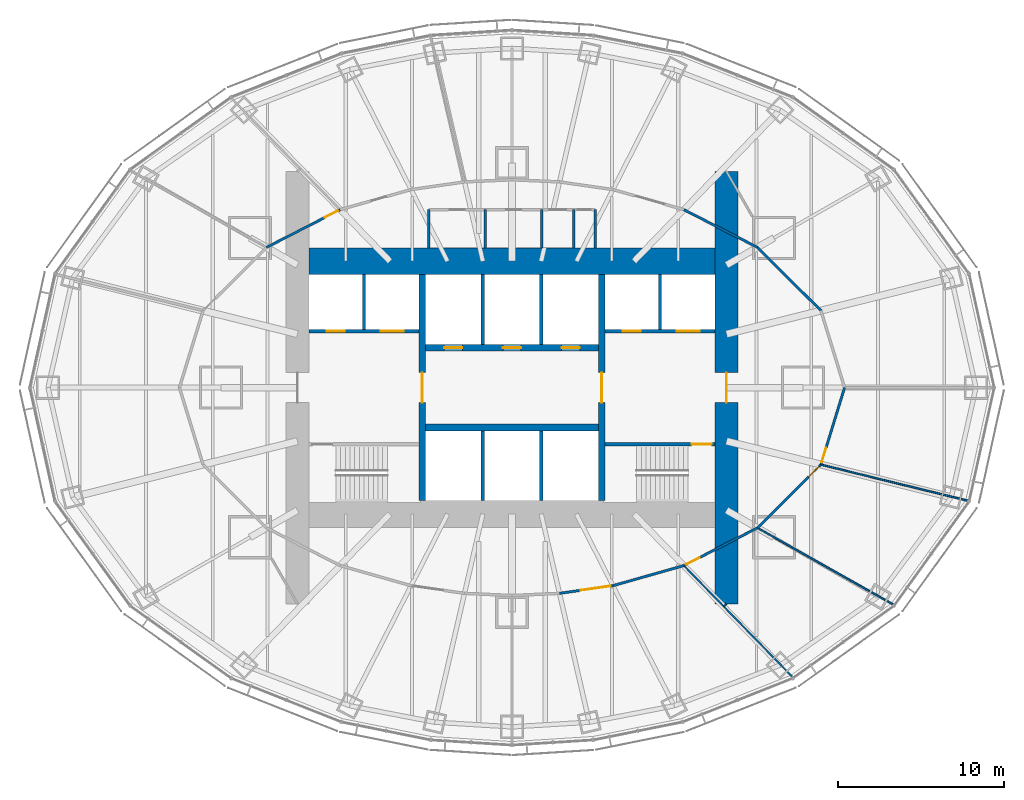
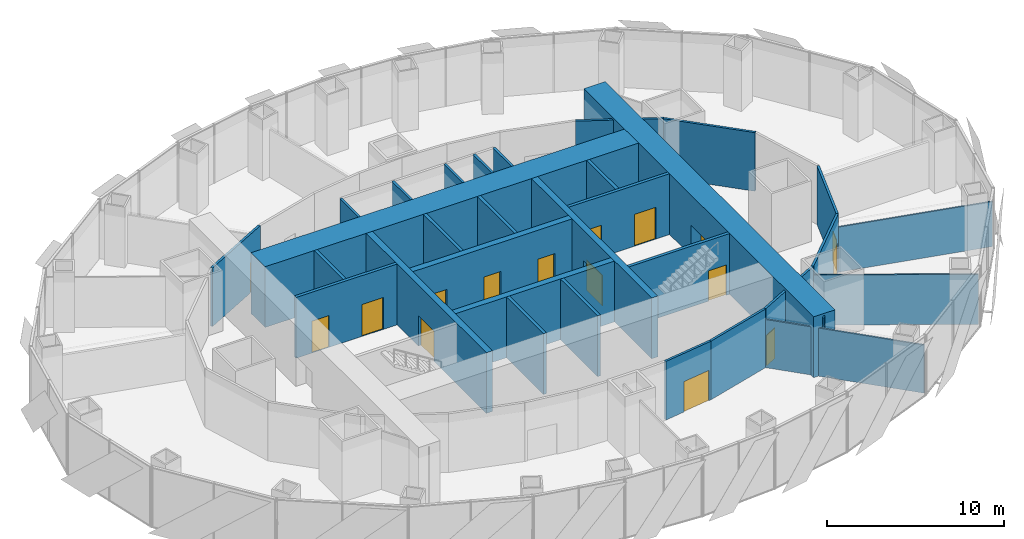
# One storey, part 11 of 18: 32 walls, 16 doors, 16 openings.
"""IFC4 building model written with IfcOpenShell, lengths in metres."""

from ifc_helpers import new_model, si_unit, direction, frame, frame_2d, origin, place, context, subcontext, project, spatial, rectangle, extrude, material, layer, layer_set, type_object, element, fill, save


model = new_model("IFC4")

# Units and contexts
model_context = context("Model", 3, precision=1e-05, world=origin(), true_north=direction((0.0, 1.0)))
body_context = subcontext(model_context, "Body", "Model", "MODEL_VIEW")
ifc_project = project(units=[si_unit("LENGTHUNIT", "METRE"), si_unit("AREAUNIT", "SQUARE_METRE"), si_unit("VOLUMEUNIT", "CUBIC_METRE"), si_unit("PLANEANGLEUNIT", "RADIAN"), si_unit("MASSUNIT", "GRAM", prefix="KILO")], contexts=[model_context])

# Site, building, storey
site_placement = place(None, origin())
site = spatial("IfcSite", under=ifc_project, at=site_placement, CompositionType="ELEMENT")
building_placement = place(site_placement, origin())
building = spatial("IfcBuilding", under=site, at=building_placement, Name="Lantaw Convention Tower", CompositionType="ELEMENT")
storey_placement = place(building_placement, frame((0.0, 0.0, 134.199951171875)))
storey = spatial("IfcBuildingStorey", under=building, at=storey_placement, Name="L31", CompositionType="ELEMENT", Elevation=134.199951171875)

# Wall, opening, door
ifc_material_1 = material(Name="Concrete C60/75", Category="concrete")
ifc_layer_1 = layer(ifc_material_1, 1.39990234375)
ifc_layer_set_1 = layer_set([ifc_layer_1], Name="Core wall 1400")
wall_type_1 = type_object("IfcWallType", Name="Core wall 1400", PredefinedType="SHEAR", material=ifc_layer_set_1)
wall_1_placement = place(storey_placement, frame((12.89990234375, -13.0, 0.0), z_axis=(0.0, 0.0, 1.0), x_axis=(0.0, 1.0, 0.0)))
wall_1 = element("IfcWall", 1, at=wall_1_placement, inside=storey, type_object=wall_type_1, Name="Core wall E", PredefinedType="SHEAR", context=body_context, shape_type="SweptSolid", body=[
    extrude(rectangle(XDim=26.0, YDim=1.39990234375, at=frame_2d((13.0, 0.0))), origin(), (0.0, 0.0, 1.0), 4.199951171875),
])
opening_1_placement = place(wall_1_placement, frame((12.10009765625, 0.0, 0.0)))
opening_1 = element("IfcOpeningElement", 2, at=opening_1_placement, cuts=wall_1, Name="Opening L31.05", PredefinedType="OPENING", context=body_context, shape_type="SweptSolid", body=[
    extrude(rectangle(XDim=1.800048828125, YDim=2.10009765625, at=frame_2d((0.89990234375, 1.050048828125))), frame((0.0, 0.7099609375, 0.0), z_axis=(0.0, -1.0, 0.0), x_axis=(1.0, 0.0, 0.0)), (0.0, 0.0, 1.0), 1.419921875),
])
ifc_material_2 = material(Name="Steel, fire rated", Category="steel")
door_type_1 = type_object("IfcDoorType", Name="Lobby double door FD90", OperationType="DOUBLE_DOOR_DOUBLE_SWING", PredefinedType="DOOR", material=ifc_material_2)
door_1_placement = place(opening_1_placement, origin())
door_1 = element("IfcDoor", 3, at=door_1_placement, inside=storey, type_object=door_type_1, Name="Firefighting lobby door", OperationType="DOUBLE_DOOR_DOUBLE_SWING", OverallHeight=2.10009765625, OverallWidth=1.800048828125, PredefinedType="DOOR", context=body_context, shape_type="SweptSolid", body=[
    extrude(rectangle(XDim=1.800048828125, YDim=2.10009765625, at=frame_2d((0.89990234375, 1.050048828125))), frame((0.0, 0.02490234375, 0.0), z_axis=(0.0, -1.0, 0.0), x_axis=(1.0, 0.0, 0.0)), (0.0, 0.0, 1.0), 0.050048828125),
])
fill(opening_1, door_1)

# Wall
ifc_layer_2 = layer(ifc_material_1, 1.60009765625)
ifc_layer_set_2 = layer_set([ifc_layer_2], Name="Core wall 1600")
wall_type_2 = type_object("IfcWallType", Name="Core wall 1600", PredefinedType="SHEAR", material=ifc_layer_set_2)
wall_2_placement = place(storey_placement, frame((12.199951171875, 7.60009765625, 0.0), z_axis=(0.0, 0.0, 1.0), x_axis=(-1.0, 0.0, 0.0)))
element("IfcWall", 4, at=wall_2_placement, inside=storey, type_object=wall_type_2, Name="Core wall N", PredefinedType="SHEAR", context=body_context, shape_type="SweptSolid", body=[
    extrude(rectangle(XDim=24.39990234375, YDim=1.60009765625, at=frame_2d((12.199951171875, 0.0))), origin(), (0.0, 0.0, 1.0), 4.199951171875),
])

# Wall, opening, door
ifc_layer_3 = layer(ifc_material_1, 0.199951171875)
ifc_layer_set_3 = layer_set([ifc_layer_3], Name="Core wall 200")
wall_type_3 = type_object("IfcWallType", Name="Core wall 200", PredefinedType="SHEAR", material=ifc_layer_set_3)
wall_3_placement = place(storey_placement, frame((5.60009765625, -3.39990234375, 0.0), z_axis=(0.0, 0.0, 1.0), x_axis=(1.0, 0.0, 0.0)))
wall_3 = element("IfcWall", 5, at=wall_3_placement, inside=storey, type_object=wall_type_3, Name="Core wall ES", PredefinedType="SHEAR", context=body_context, shape_type="SweptSolid", body=[
    extrude(rectangle(XDim=6.599853515625, YDim=0.199951171875, at=frame_2d((3.2998046875, 0.0))), origin(), (0.0, 0.0, 1.0), 4.199951171875),
])
opening_2_placement = place(wall_3_placement, frame((5.199951171875, 0.0, 0.0)))
opening_2 = element("IfcOpeningElement", 6, at=opening_2_placement, cuts=wall_3, Name="Opening L31.03", PredefinedType="OPENING", context=body_context, shape_type="SweptSolid", body=[
    extrude(rectangle(XDim=1.199951171875, YDim=2.10009765625, at=frame_2d((0.60009765625, 1.050048828125))), frame((0.0, 0.10986328125, 0.0), z_axis=(0.0, -1.0, 0.0), x_axis=(1.0, 0.0, 0.0)), (0.0, 0.0, 1.0), 0.219970703125),
])
door_type_2 = type_object("IfcDoorType", Name="Stair door FD90", OperationType="SINGLE_SWING_RIGHT", PredefinedType="DOOR", material=ifc_material_2)
door_2_placement = place(opening_2_placement, origin())
door_2 = element("IfcDoor", 7, at=door_2_placement, inside=storey, type_object=door_type_2, Name="Exit stair door", OperationType="SINGLE_SWING_RIGHT", OverallHeight=2.10009765625, OverallWidth=1.199951171875, PredefinedType="DOOR", context=body_context, shape_type="SweptSolid", body=[
    extrude(rectangle(XDim=1.199951171875, YDim=2.10009765625, at=frame_2d((0.60009765625, 1.050048828125))), frame((0.0, 0.02490234375, 0.0), z_axis=(0.0, -1.0, 0.0), x_axis=(1.0, 0.0, 0.0)), (0.0, 0.0, 1.0), 0.050048828125),
])
fill(opening_2, door_2)

ifc_layer_4 = layer(ifc_material_1, 0.39990234375)
ifc_layer_set_4 = layer_set([ifc_layer_4], Name="Core wall 400")
wall_type_4 = type_object("IfcWallType", Name="Core wall 400", PredefinedType="SHEAR", material=ifc_layer_set_4)
wall_4_placement = place(storey_placement, frame((5.39990234375, -6.800048828125, 0.0), z_axis=(0.0, 0.0, 1.0), x_axis=(0.0, 1.0, 0.0)))
wall_4 = element("IfcWall", 8, at=wall_4_placement, inside=storey, type_object=wall_type_4, Name="Core wall XE", PredefinedType="SHEAR", context=body_context, shape_type="SweptSolid", body=[
    extrude(rectangle(XDim=13.60009765625, YDim=0.39990234375, at=frame_2d((6.800048828125, 0.0))), origin(), (0.0, 0.0, 1.0), 4.199951171875),
])
opening_3_placement = place(wall_4_placement, frame((5.89990234375, 0.0, 0.0)))
opening_3 = element("IfcOpeningElement", 9, at=opening_3_placement, cuts=wall_4, Name="Opening L31.01", PredefinedType="OPENING", context=body_context, shape_type="SweptSolid", body=[
    extrude(rectangle(XDim=1.800048828125, YDim=2.10009765625, at=frame_2d((0.89990234375, 1.050048828125))), frame((0.0, 0.2099609375, 0.0), z_axis=(0.0, -1.0, 0.0), x_axis=(1.0, 0.0, 0.0)), (0.0, 0.0, 1.0), 0.419921875),
])
door_3_placement = place(opening_3_placement, origin())
door_3 = element("IfcDoor", 10, at=door_3_placement, inside=storey, type_object=door_type_1, Name="Lift lobby door", OperationType="DOUBLE_DOOR_DOUBLE_SWING", OverallHeight=2.10009765625, OverallWidth=1.800048828125, PredefinedType="DOOR", context=body_context, shape_type="SweptSolid", body=[
    extrude(rectangle(XDim=1.800048828125, YDim=2.10009765625, at=frame_2d((0.89990234375, 1.050048828125))), frame((0.0, 0.02490234375, 0.0), z_axis=(0.0, -1.0, 0.0), x_axis=(1.0, 0.0, 0.0)), (0.0, 0.0, 1.0), 0.050048828125),
])
fill(opening_3, door_3)

wall_5_placement = place(storey_placement, frame((-5.39990234375, 6.800048828125, 0.0), z_axis=(0.0, 0.0, 1.0), x_axis=(0.0, -1.0, 0.0)))
wall_5 = element("IfcWall", 11, at=wall_5_placement, inside=storey, type_object=wall_type_4, Name="Core wall XW", PredefinedType="SHEAR", context=body_context, shape_type="SweptSolid", body=[
    extrude(rectangle(XDim=13.60009765625, YDim=0.39990234375, at=frame_2d((6.800048828125, 0.0))), origin(), (0.0, 0.0, 1.0), 4.199951171875),
])
opening_4_placement = place(wall_5_placement, frame((5.89990234375, 0.0, 0.0)))
opening_4 = element("IfcOpeningElement", 12, at=opening_4_placement, cuts=wall_5, Name="Opening L31.02", PredefinedType="OPENING", context=body_context, shape_type="SweptSolid", body=[
    extrude(rectangle(XDim=1.800048828125, YDim=2.10009765625, at=frame_2d((0.89990234375, 1.050048828125))), frame((0.0, 0.2099609375, 0.0), z_axis=(0.0, -1.0, 0.0), x_axis=(1.0, 0.0, 0.0)), (0.0, 0.0, 1.0), 0.419921875),
])
door_4_placement = place(opening_4_placement, origin())
door_4 = element("IfcDoor", 13, at=door_4_placement, inside=storey, type_object=door_type_1, Name="Lift lobby door", OperationType="DOUBLE_DOOR_DOUBLE_SWING", OverallHeight=2.10009765625, OverallWidth=1.800048828125, PredefinedType="DOOR", context=body_context, shape_type="SweptSolid", body=[
    extrude(rectangle(XDim=1.800048828125, YDim=2.10009765625, at=frame_2d((0.89990234375, 1.050048828125))), frame((0.0, 0.02490234375, 0.0), z_axis=(0.0, -1.0, 0.0), x_axis=(1.0, 0.0, 0.0)), (0.0, 0.0, 1.0), 0.050048828125),
])
fill(opening_4, door_4)

# Wall
wall_6_placement = place(storey_placement, frame((-5.199951171875, -2.39990234375, 0.0), z_axis=(0.0, 0.0, 1.0), x_axis=(1.0, 0.0, 0.0)))
element("IfcWall", 14, at=wall_6_placement, inside=storey, type_object=wall_type_4, Name="Core wall BS", PredefinedType="SHEAR", context=body_context, shape_type="SweptSolid", body=[
    extrude(rectangle(XDim=10.39990234375, YDim=0.39990234375, at=frame_2d((5.199951171875, 0.0))), origin(), (0.0, 0.0, 1.0), 4.199951171875),
])

# Wall, openings, doors
wall_7_placement = place(storey_placement, frame((5.199951171875, 2.39990234375, 0.0), z_axis=(0.0, 0.0, 1.0), x_axis=(-1.0, 0.0, 0.0)))
wall_7 = element("IfcWall", 15, at=wall_7_placement, inside=storey, type_object=wall_type_4, Name="Core wall BN", PredefinedType="SHEAR", context=body_context, shape_type="SweptSolid", body=[
    extrude(rectangle(XDim=10.39990234375, YDim=0.39990234375, at=frame_2d((5.199951171875, 0.0))), origin(), (0.0, 0.0, 1.0), 4.199951171875),
])
opening_5_placement = place(wall_7_placement, frame((8.183349609375, 0.0, 0.0)))
opening_5 = element("IfcOpeningElement", 16, at=opening_5_placement, cuts=wall_7, Name="Opening L31.07", PredefinedType="OPENING", context=body_context, shape_type="SweptSolid", body=[
    extrude(rectangle(XDim=1.10009765625, YDim=2.199951171875, at=frame_2d((0.550048828125, 1.10009765625))), frame((0.0, 0.2099609375, 0.0), z_axis=(0.0, -1.0, 0.0), x_axis=(1.0, 0.0, 0.0)), (0.0, 0.0, 1.0), 0.419921875),
])
opening_6_placement = place(wall_7_placement, frame((4.64990234375, 0.0, 0.0)))
opening_6 = element("IfcOpeningElement", 17, at=opening_6_placement, cuts=wall_7, Name="Opening L31.08", PredefinedType="OPENING", context=body_context, shape_type="SweptSolid", body=[
    extrude(rectangle(XDim=1.10009765625, YDim=2.199951171875, at=frame_2d((0.550048828125, 1.10009765625))), frame((0.0, 0.2099609375, 0.0), z_axis=(0.0, -1.0, 0.0), x_axis=(1.0, 0.0, 0.0)), (0.0, 0.0, 1.0), 0.419921875),
])
opening_7_placement = place(wall_7_placement, frame((1.11669921875, 0.0, 0.0)))
opening_7 = element("IfcOpeningElement", 18, at=opening_7_placement, cuts=wall_7, Name="Opening L31.09", PredefinedType="OPENING", context=body_context, shape_type="SweptSolid", body=[
    extrude(rectangle(XDim=1.10009765625, YDim=2.199951171875, at=frame_2d((0.550048828125, 1.10009765625))), frame((0.0, 0.2099609375, 0.0), z_axis=(0.0, -1.0, 0.0), x_axis=(1.0, 0.0, 0.0)), (0.0, 0.0, 1.0), 0.419921875),
])
ifc_material_3 = material(Name="Stainless steel", Category="steel")
door_type_3 = type_object("IfcDoorType", Name="Lift landing door 1100", OperationType="DOUBLE_DOOR_SLIDING", PredefinedType="DOOR", material=ifc_material_3)
door_5_placement = place(opening_5_placement, origin())
door_5 = element("IfcDoor", 19, at=door_5_placement, inside=storey, type_object=door_type_3, Name="Lift landing door N1", OperationType="DOUBLE_DOOR_SLIDING", OverallHeight=2.199951171875, OverallWidth=1.10009765625, PredefinedType="DOOR", context=body_context, shape_type="SweptSolid", body=[
    extrude(rectangle(XDim=1.10009765625, YDim=2.199951171875, at=frame_2d((0.550048828125, 1.10009765625))), frame((0.0, 0.02490234375, 0.0), z_axis=(0.0, -1.0, 0.0), x_axis=(1.0, 0.0, 0.0)), (0.0, 0.0, 1.0), 0.050048828125),
])
fill(opening_5, door_5)
door_6_placement = place(opening_6_placement, origin())
door_6 = element("IfcDoor", 20, at=door_6_placement, inside=storey, type_object=door_type_3, Name="Lift landing door N2", OperationType="DOUBLE_DOOR_SLIDING", OverallHeight=2.199951171875, OverallWidth=1.10009765625, PredefinedType="DOOR", context=body_context, shape_type="SweptSolid", body=[
    extrude(rectangle(XDim=1.10009765625, YDim=2.199951171875, at=frame_2d((0.550048828125, 1.10009765625))), frame((0.0, 0.02490234375, 0.0), z_axis=(0.0, -1.0, 0.0), x_axis=(1.0, 0.0, 0.0)), (0.0, 0.0, 1.0), 0.050048828125),
])
fill(opening_6, door_6)
door_7_placement = place(opening_7_placement, origin())
door_7 = element("IfcDoor", 21, at=door_7_placement, inside=storey, type_object=door_type_3, Name="Lift landing door N3", OperationType="DOUBLE_DOOR_SLIDING", OverallHeight=2.199951171875, OverallWidth=1.10009765625, PredefinedType="DOOR", context=body_context, shape_type="SweptSolid", body=[
    extrude(rectangle(XDim=1.10009765625, YDim=2.199951171875, at=frame_2d((0.550048828125, 1.10009765625))), frame((0.0, 0.02490234375, 0.0), z_axis=(0.0, -1.0, 0.0), x_axis=(1.0, 0.0, 0.0)), (0.0, 0.0, 1.0), 0.050048828125),
])
fill(opening_7, door_7)

# Walls
ifc_material_4 = material(Name="Gypsum board on steel studs, fire rated", Category="steel")
ifc_layer_5 = layer(ifc_material_4, 0.14990234375)
ifc_layer_set_5 = layer_set([ifc_layer_5], Name="Corridor wall 150 EI 60")
wall_type_5 = type_object("IfcWallType", Name="Corridor wall 150 EI 60", PredefinedType="PARTITIONING", material=ifc_layer_set_5)
wall_8_placement = place(storey_placement, frame((18.576416015625, 4.631591796875, 0.0), z_axis=(0.0, 0.0, 1.0), x_axis=(-0.708306665233, 0.705904857603, 0.0)))
element("IfcWall", 22, at=wall_8_placement, inside=storey, type_object=wall_type_5, Name="Corridor wall 150", PredefinedType="PARTITIONING", context=body_context, shape_type="SweptSolid", body=[
    extrude(rectangle(XDim=5.387451171875, YDim=0.14990234375, at=frame_2d((2.69384765625, 0.0))), origin(), (0.0, 0.0, 1.0), 4.050048828125),
])
wall_9_placement = place(storey_placement, frame((14.760498046875, 8.4345703125, 0.0), z_axis=(0.0, 0.0, 1.0), x_axis=(-0.890004978294, 0.455950807227, 0.0)))
element("IfcWall", 23, at=wall_9_placement, inside=storey, type_object=wall_type_5, Name="Corridor wall 150", PredefinedType="PARTITIONING", context=body_context, shape_type="SweptSolid", body=[
    extrude(rectangle(XDim=4.97265625, YDim=0.14990234375, at=frame_2d((2.486328125, 0.0))), origin(), (0.0, 0.0, 1.0), 4.050048828125),
])

# Wall, opening, door
wall_10_placement = place(storey_placement, frame((-10.334716796875, 10.701904296875, 0.0), z_axis=(0.0, 0.0, 1.0), x_axis=(-0.890004978294, -0.455950807227, 0.0)))
wall_10 = element("IfcWall", 24, at=wall_10_placement, inside=storey, type_object=wall_type_5, Name="Corridor wall 150", PredefinedType="PARTITIONING", context=body_context, shape_type="SweptSolid", body=[
    extrude(rectangle(XDim=4.97265625, YDim=0.14990234375, at=frame_2d((2.486328125, 0.0))), origin(), (0.0, 0.0, 1.0), 4.050048828125),
])
opening_8_placement = place(wall_10_placement, frame((0.14990234375, 0.0, 0.0)))
opening_8 = element("IfcOpeningElement", 25, at=opening_8_placement, cuts=wall_10, Name="Opening L31.20", PredefinedType="OPENING", context=body_context, shape_type="SweptSolid", body=[
    extrude(rectangle(XDim=0.89990234375, YDim=2.10009765625, at=frame_2d((0.449951171875, 1.050048828125))), frame((0.0, 0.0849609375, 0.0), z_axis=(0.0, -1.0, 0.0), x_axis=(1.0, 0.0, 0.0)), (0.0, 0.0, 1.0), 0.169921875),
])
door_type_4 = type_object("IfcDoorType", Name="Office door 900 FD30", OperationType="SINGLE_SWING_LEFT", PredefinedType="DOOR", material=ifc_material_2)
door_8_placement = place(opening_8_placement, origin())
door_8 = element("IfcDoor", 26, at=door_8_placement, inside=storey, type_object=door_type_4, Name="Quiet room door", OperationType="SINGLE_SWING_LEFT", OverallHeight=2.10009765625, OverallWidth=0.89990234375, PredefinedType="DOOR", context=body_context, shape_type="SweptSolid", body=[
    extrude(rectangle(XDim=0.89990234375, YDim=2.10009765625, at=frame_2d((0.449951171875, 1.050048828125))), frame((0.0, 0.02490234375, 0.0), z_axis=(0.0, -1.0, 0.0), x_axis=(1.0, 0.0, 0.0)), (0.0, 0.0, 1.0), 0.050048828125),
])
fill(opening_8, door_8)

wall_11_placement = place(storey_placement, frame((2.856201171875, -12.371826171875, 0.0), z_axis=(0.0, 0.0, 1.0), x_axis=(0.989852979412, 0.14209531713, 0.0)))
wall_11 = element("IfcWall", 27, at=wall_11_placement, inside=storey, type_object=wall_type_5, Name="Corridor wall 150", PredefinedType="PARTITIONING", context=body_context, shape_type="SweptSolid", body=[
    extrude(rectangle(XDim=3.24560546875, YDim=0.14990234375, at=frame_2d((1.622802734375, 0.0))), origin(), (0.0, 0.0, 1.0), 4.050048828125),
])
opening_9_placement = place(wall_11_placement, frame((1.29541015625, 0.0, 0.0)))
opening_9 = element("IfcOpeningElement", 28, at=opening_9_placement, cuts=wall_11, Name="Opening L31.23", PredefinedType="OPENING", context=body_context, shape_type="SweptSolid", body=[
    extrude(rectangle(XDim=1.800048828125, YDim=2.10009765625, at=frame_2d((0.89990234375, 1.050048828125))), frame((0.0, 0.0849609375, 0.0), z_axis=(0.0, -1.0, 0.0), x_axis=(1.0, 0.0, 0.0)), (0.0, 0.0, 1.0), 0.169921875),
])
door_type_5 = type_object("IfcDoorType", Name="Office double door 1800 FD30", OperationType="DOUBLE_DOOR_DOUBLE_SWING", PredefinedType="DOOR", material=ifc_material_2)
door_9_placement = place(opening_9_placement, origin())
door_9 = element("IfcDoor", 29, at=door_9_placement, inside=storey, type_object=door_type_5, Name="Training room door", OperationType="DOUBLE_DOOR_DOUBLE_SWING", OverallHeight=2.10009765625, OverallWidth=1.800048828125, PredefinedType="DOOR", context=body_context, shape_type="SweptSolid", body=[
    extrude(rectangle(XDim=1.800048828125, YDim=2.10009765625, at=frame_2d((0.89990234375, 1.050048828125))), frame((0.0, 0.02490234375, 0.0), z_axis=(0.0, -1.0, 0.0), x_axis=(1.0, 0.0, 0.0)), (0.0, 0.0, 1.0), 0.050048828125),
])
fill(opening_9, door_9)

# Wall
wall_12_placement = place(storey_placement, frame((6.06884765625, -11.91064453125, 0.0), z_axis=(0.0, 0.0, 1.0), x_axis=(0.962122152905, 0.272618713388, 0.0)))
element("IfcWall", 30, at=wall_12_placement, inside=storey, type_object=wall_type_5, Name="Corridor wall 150", PredefinedType="PARTITIONING", context=body_context, shape_type="SweptSolid", body=[
    extrude(rectangle(XDim=4.433837890625, YDim=0.14990234375, at=frame_2d((2.216796875, 0.0))), origin(), (0.0, 0.0, 1.0), 4.050048828125),
])

# Wall, opening, door
wall_13_placement = place(storey_placement, frame((10.334716796875, -10.701904296875, 0.0), z_axis=(0.0, 0.0, 1.0), x_axis=(0.890004978294, 0.455950807227, 0.0)))
wall_13 = element("IfcWall", 31, at=wall_13_placement, inside=storey, type_object=wall_type_5, Name="Corridor wall 150", PredefinedType="PARTITIONING", context=body_context, shape_type="SweptSolid", body=[
    extrude(rectangle(XDim=4.97265625, YDim=0.14990234375, at=frame_2d((2.486328125, 0.0))), origin(), (0.0, 0.0, 1.0), 4.050048828125),
])
opening_10_placement = place(wall_13_placement, frame((0.14990234375, 0.0, 0.0)))
opening_10 = element("IfcOpeningElement", 32, at=opening_10_placement, cuts=wall_13, Name="Opening L31.24", PredefinedType="OPENING", context=body_context, shape_type="SweptSolid", body=[
    extrude(rectangle(XDim=0.89990234375, YDim=2.10009765625, at=frame_2d((0.449951171875, 1.050048828125))), frame((0.0, 0.0849609375, 0.0), z_axis=(0.0, -1.0, 0.0), x_axis=(1.0, 0.0, 0.0)), (0.0, 0.0, 1.0), 0.169921875),
])
door_10_placement = place(opening_10_placement, origin())
door_10 = element("IfcDoor", 33, at=door_10_placement, inside=storey, type_object=door_type_4, Name="Nap room door", OperationType="SINGLE_SWING_LEFT", OverallHeight=2.10009765625, OverallWidth=0.89990234375, PredefinedType="DOOR", context=body_context, shape_type="SweptSolid", body=[
    extrude(rectangle(XDim=0.89990234375, YDim=2.10009765625, at=frame_2d((0.449951171875, 1.050048828125))), frame((0.0, 0.02490234375, 0.0), z_axis=(0.0, -1.0, 0.0), x_axis=(1.0, 0.0, 0.0)), (0.0, 0.0, 1.0), 0.050048828125),
])
fill(opening_10, door_10)

wall_14_placement = place(storey_placement, frame((14.760498046875, -8.4345703125, 0.0), z_axis=(0.0, 0.0, 1.0), x_axis=(0.708306665233, 0.705904857603, 0.0)))
wall_14 = element("IfcWall", 34, at=wall_14_placement, inside=storey, type_object=wall_type_5, Name="Corridor wall 150", PredefinedType="PARTITIONING", context=body_context, shape_type="SweptSolid", body=[
    extrude(rectangle(XDim=5.387451171875, YDim=0.14990234375, at=frame_2d((2.69384765625, 0.0))), origin(), (0.0, 0.0, 1.0), 4.050048828125),
])
opening_11_placement = place(wall_14_placement, frame((4.33740234375, 0.0, 0.0)))
opening_11 = element("IfcOpeningElement", 35, at=opening_11_placement, cuts=wall_14, Name="Opening L31.25", PredefinedType="OPENING", context=body_context, shape_type="SweptSolid", body=[
    extrude(rectangle(XDim=0.89990234375, YDim=2.10009765625, at=frame_2d((0.449951171875, 1.050048828125))), frame((0.0, 0.0849609375, 0.0), z_axis=(0.0, -1.0, 0.0), x_axis=(1.0, 0.0, 0.0)), (0.0, 0.0, 1.0), 0.169921875),
])
door_11_placement = place(opening_11_placement, origin())
door_11 = element("IfcDoor", 36, at=door_11_placement, inside=storey, type_object=door_type_4, Name="24-hour pantry door", OperationType="SINGLE_SWING_LEFT", OverallHeight=2.10009765625, OverallWidth=0.89990234375, PredefinedType="DOOR", context=body_context, shape_type="SweptSolid", body=[
    extrude(rectangle(XDim=0.89990234375, YDim=2.10009765625, at=frame_2d((0.449951171875, 1.050048828125))), frame((0.0, 0.02490234375, 0.0), z_axis=(0.0, -1.0, 0.0), x_axis=(1.0, 0.0, 0.0)), (0.0, 0.0, 1.0), 0.050048828125),
])
fill(opening_11, door_11)

wall_15_placement = place(storey_placement, frame((18.576416015625, -4.631591796875, 0.0), z_axis=(0.0, 0.0, 1.0), x_axis=(0.293799045613, 0.955867208767, 0.0)))
wall_15 = element("IfcWall", 37, at=wall_15_placement, inside=storey, type_object=wall_type_5, Name="Corridor wall 150", PredefinedType="PARTITIONING", context=body_context, shape_type="SweptSolid", body=[
    extrude(rectangle(XDim=4.845458984375, YDim=0.14990234375, at=frame_2d((2.4228515625, 0.0))), origin(), (0.0, 0.0, 1.0), 4.050048828125),
])
opening_12_placement = place(wall_15_placement, frame((0.14990234375, 0.0, 0.0)))
opening_12 = element("IfcOpeningElement", 38, at=opening_12_placement, cuts=wall_15, Name="Opening L31.26", PredefinedType="OPENING", context=body_context, shape_type="SweptSolid", body=[
    extrude(rectangle(XDim=0.89990234375, YDim=2.10009765625, at=frame_2d((0.449951171875, 1.050048828125))), frame((0.0, 0.0849609375, 0.0), z_axis=(0.0, -1.0, 0.0), x_axis=(1.0, 0.0, 0.0)), (0.0, 0.0, 1.0), 0.169921875),
])
door_12_placement = place(opening_12_placement, origin())
door_12 = element("IfcDoor", 39, at=door_12_placement, inside=storey, type_object=door_type_4, Name="Quiet room door", OperationType="SINGLE_SWING_LEFT", OverallHeight=2.10009765625, OverallWidth=0.89990234375, PredefinedType="DOOR", context=body_context, shape_type="SweptSolid", body=[
    extrude(rectangle(XDim=0.89990234375, YDim=2.10009765625, at=frame_2d((0.449951171875, 1.050048828125))), frame((0.0, 0.02490234375, 0.0), z_axis=(0.0, -1.0, 0.0), x_axis=(1.0, 0.0, 0.0)), (0.0, 0.0, 1.0), 0.050048828125),
])
fill(opening_12, door_12)

# Walls
ifc_material_5 = material(Name="Gypsum board on steel studs, acoustic", Category="steel")
ifc_layer_6 = layer(ifc_material_5, 0.10009765625)
ifc_layer_set_6 = layer_set([ifc_layer_6], Name="Office partition 100")
wall_type_6 = type_object("IfcWallType", Name="Office partition 100", PredefinedType="PARTITIONING", material=ifc_layer_set_6)
wall_16_placement = place(storey_placement, frame((16.88232421875, -17.413818359375, 0.0), z_axis=(0.0, 0.0, 1.0), x_axis=(-0.698290989425, 0.715814008027, 0.0)))
element("IfcWall", 40, at=wall_16_placement, inside=storey, type_object=wall_type_6, Name="Office partition 100", PredefinedType="PARTITIONING", context=body_context, shape_type="SweptSolid", body=[
    extrude(rectangle(XDim=9.376708984375, YDim=0.10009765625, at=frame_2d((4.6884765625, 0.0))), origin(), (0.0, 0.0, 1.0), 3.321044921875),
])
wall_17_placement = place(storey_placement, frame((22.948974609375, -13.05908203125, 0.0), z_axis=(0.0, 0.0, 1.0), x_axis=(-0.870733950517, 0.491754397456, 0.0)))
element("IfcWall", 41, at=wall_17_placement, inside=storey, type_object=wall_type_6, Name="Office partition 100", PredefinedType="PARTITIONING", context=body_context, shape_type="SweptSolid", body=[
    extrude(rectangle(XDim=9.404052734375, YDim=0.10009765625, at=frame_2d((4.7021484375, 0.0))), origin(), (0.0, 0.0, 1.0), 3.45068359375),
])
wall_18_placement = place(storey_placement, frame((27.440673828125, -6.80908203125, 0.0), z_axis=(0.0, 0.0, 1.0), x_axis=(-0.971128704348, 0.238556156056, 0.0)))
element("IfcWall", 42, at=wall_18_placement, inside=storey, type_object=wall_type_6, Name="Office partition 100", PredefinedType="PARTITIONING", context=body_context, shape_type="SweptSolid", body=[
    extrude(rectangle(XDim=9.127685546875, YDim=0.10009765625, at=frame_2d((4.56396484375, 0.0))), origin(), (0.0, 0.0, 1.0), 3.11279296875),
])
wall_19_placement = place(storey_placement, frame((12.89990234375, -13.0, 0.0), z_axis=(0.0, 0.0, 1.0), x_axis=(-0.716013316663, -0.698086620959, 0.0)))
element("IfcWall", 43, at=wall_19_placement, inside=storey, type_object=wall_type_6, Name="Office partition 100", PredefinedType="PARTITIONING", context=body_context, shape_type="SweptSolid", body=[
    extrude(rectangle(XDim=0.2314453125, YDim=0.10009765625, at=frame_2d((0.11572265625, 0.0))), origin(), (0.0, 0.0, 1.0), 4.050048828125),
])
ifc_material_6 = material(Name="Concrete blockwork, fire rated", Category="masonry")
ifc_layer_7 = layer(ifc_material_6, 0.199951171875)
ifc_layer_set_7 = layer_set([ifc_layer_7], Name="Shaft wall 200")
wall_type_7 = type_object("IfcWallType", Name="Shaft wall 200", PredefinedType="SOLIDWALL", material=ifc_layer_set_7)
for number, where, z_axis, x_axis, name in (
    (44, (-1.7666015625, 2.60009765625, 0.0), (0.0, 0.0, 1.0), (0.0, 1.0, 0.0), "Shaft wall DN1"),
    (45, (1.7666015625, 2.60009765625, 0.0), (0.0, 0.0, 1.0), (0.0, 1.0, 0.0), "Shaft wall DN2"),
):
    element("IfcWall", number, at=place(storey_placement, frame(where, z_axis=z_axis, x_axis=x_axis)), inside=storey, type_object=wall_type_7, Name=name, PredefinedType="SOLIDWALL", context=body_context, shape_type="SweptSolid", body=[
        extrude(rectangle(XDim=4.199951171875, YDim=0.199951171875, at=frame_2d((2.10009765625, 0.0))), origin(), (0.0, 0.0, 1.0), 4.199951171875),
    ])

# Wall, openings, doors
wall_20_placement = place(storey_placement, frame((12.199951171875, 3.39990234375, 0.0), z_axis=(0.0, 0.0, 1.0), x_axis=(-1.0, 0.0, 0.0)))
wall_20 = element("IfcWall", 46, at=wall_20_placement, inside=storey, type_object=wall_type_7, Name="Shaft wall EN", PredefinedType="SOLIDWALL", context=body_context, shape_type="SweptSolid", body=[
    extrude(rectangle(XDim=6.599853515625, YDim=0.199951171875, at=frame_2d((3.2998046875, 0.0))), origin(), (0.0, 0.0, 1.0), 4.199951171875),
])
opening_13_placement = place(wall_20_placement, frame((4.449951171875, 0.0, 0.0)))
opening_13 = element("IfcOpeningElement", 47, at=opening_13_placement, cuts=wall_20, Name="Opening L31.12", PredefinedType="OPENING", context=body_context, shape_type="SweptSolid", body=[
    extrude(rectangle(XDim=1.10009765625, YDim=2.199951171875, at=frame_2d((0.550048828125, 1.10009765625))), frame((0.0, 0.10986328125, 0.0), z_axis=(0.0, -1.0, 0.0), x_axis=(1.0, 0.0, 0.0)), (0.0, 0.0, 1.0), 0.219970703125),
])
opening_14_placement = place(wall_20_placement, frame((0.89990234375, 0.0, 0.0)))
opening_14 = element("IfcOpeningElement", 48, at=opening_14_placement, cuts=wall_20, Name="Opening L31.13", PredefinedType="OPENING", context=body_context, shape_type="SweptSolid", body=[
    extrude(rectangle(XDim=1.39990234375, YDim=2.199951171875, at=frame_2d((0.699951171875, 1.10009765625))), frame((0.0, 0.10986328125, 0.0), z_axis=(0.0, -1.0, 0.0), x_axis=(1.0, 0.0, 0.0)), (0.0, 0.0, 1.0), 0.219970703125),
])
door_13_placement = place(opening_13_placement, origin())
door_13 = element("IfcDoor", 49, at=door_13_placement, inside=storey, type_object=door_type_3, Name="Lift landing door FF2", OperationType="DOUBLE_DOOR_SLIDING", OverallHeight=2.199951171875, OverallWidth=1.10009765625, PredefinedType="DOOR", context=body_context, shape_type="SweptSolid", body=[
    extrude(rectangle(XDim=1.10009765625, YDim=2.199951171875, at=frame_2d((0.550048828125, 1.10009765625))), frame((0.0, 0.02490234375, 0.0), z_axis=(0.0, -1.0, 0.0), x_axis=(1.0, 0.0, 0.0)), (0.0, 0.0, 1.0), 0.050048828125),
])
fill(opening_13, door_13)
door_type_6 = type_object("IfcDoorType", Name="Lift landing door 1400", OperationType="DOUBLE_DOOR_SLIDING", PredefinedType="DOOR", material=ifc_material_3)
door_14_placement = place(opening_14_placement, origin())
door_14 = element("IfcDoor", 50, at=door_14_placement, inside=storey, type_object=door_type_6, Name="Lift landing door SV2", OperationType="DOUBLE_DOOR_SLIDING", OverallHeight=2.199951171875, OverallWidth=1.39990234375, PredefinedType="DOOR", context=body_context, shape_type="SweptSolid", body=[
    extrude(rectangle(XDim=1.39990234375, YDim=2.199951171875, at=frame_2d((0.699951171875, 1.10009765625))), frame((0.0, 0.02490234375, 0.0), z_axis=(0.0, -1.0, 0.0), x_axis=(1.0, 0.0, 0.0)), (0.0, 0.0, 1.0), 0.050048828125),
])
fill(opening_14, door_14)

# Wall
wall_21_placement = place(storey_placement, frame((8.89990234375, 3.5, 0.0), z_axis=(0.0, 0.0, 1.0), x_axis=(0.0, 1.0, 0.0)))
element("IfcWall", 51, at=wall_21_placement, inside=storey, type_object=wall_type_7, Name="Shaft wall ED", PredefinedType="SOLIDWALL", context=body_context, shape_type="SweptSolid", body=[
    extrude(rectangle(XDim=3.300048828125, YDim=0.199951171875, at=frame_2d((1.64990234375, 0.0))), origin(), (0.0, 0.0, 1.0), 4.199951171875),
])

# Wall, openings, doors
wall_22_placement = place(storey_placement, frame((-12.199951171875, 3.39990234375, 0.0), z_axis=(0.0, 0.0, 1.0), x_axis=(1.0, 0.0, 0.0)))
wall_22 = element("IfcWall", 52, at=wall_22_placement, inside=storey, type_object=wall_type_7, Name="Shaft wall WN", PredefinedType="SOLIDWALL", context=body_context, shape_type="SweptSolid", body=[
    extrude(rectangle(XDim=6.599853515625, YDim=0.199951171875, at=frame_2d((3.2998046875, 0.0))), origin(), (0.0, 0.0, 1.0), 4.199951171875),
])
opening_15_placement = place(wall_22_placement, frame((1.050048828125, 0.0, 0.0)))
opening_15 = element("IfcOpeningElement", 53, at=opening_15_placement, cuts=wall_22, Name="Opening L31.10", PredefinedType="OPENING", context=body_context, shape_type="SweptSolid", body=[
    extrude(rectangle(XDim=1.10009765625, YDim=2.199951171875, at=frame_2d((0.550048828125, 1.10009765625))), frame((0.0, 0.10986328125, 0.0), z_axis=(0.0, -1.0, 0.0), x_axis=(1.0, 0.0, 0.0)), (0.0, 0.0, 1.0), 0.219970703125),
])
opening_16_placement = place(wall_22_placement, frame((4.300048828125, 0.0, 0.0)))
opening_16 = element("IfcOpeningElement", 54, at=opening_16_placement, cuts=wall_22, Name="Opening L31.11", PredefinedType="OPENING", context=body_context, shape_type="SweptSolid", body=[
    extrude(rectangle(XDim=1.39990234375, YDim=2.199951171875, at=frame_2d((0.699951171875, 1.10009765625))), frame((0.0, 0.10986328125, 0.0), z_axis=(0.0, -1.0, 0.0), x_axis=(1.0, 0.0, 0.0)), (0.0, 0.0, 1.0), 0.219970703125),
])
door_15_placement = place(opening_15_placement, origin())
door_15 = element("IfcDoor", 55, at=door_15_placement, inside=storey, type_object=door_type_3, Name="Lift landing door FF1", OperationType="DOUBLE_DOOR_SLIDING", OverallHeight=2.199951171875, OverallWidth=1.10009765625, PredefinedType="DOOR", context=body_context, shape_type="SweptSolid", body=[
    extrude(rectangle(XDim=1.10009765625, YDim=2.199951171875, at=frame_2d((0.550048828125, 1.10009765625))), frame((0.0, 0.02490234375, 0.0), z_axis=(0.0, -1.0, 0.0), x_axis=(1.0, 0.0, 0.0)), (0.0, 0.0, 1.0), 0.050048828125),
])
fill(opening_15, door_15)
door_16_placement = place(opening_16_placement, origin())
door_16 = element("IfcDoor", 56, at=door_16_placement, inside=storey, type_object=door_type_6, Name="Lift landing door SV1", OperationType="DOUBLE_DOOR_SLIDING", OverallHeight=2.199951171875, OverallWidth=1.39990234375, PredefinedType="DOOR", context=body_context, shape_type="SweptSolid", body=[
    extrude(rectangle(XDim=1.39990234375, YDim=2.199951171875, at=frame_2d((0.699951171875, 1.10009765625))), frame((0.0, 0.02490234375, 0.0), z_axis=(0.0, -1.0, 0.0), x_axis=(1.0, 0.0, 0.0)), (0.0, 0.0, 1.0), 0.050048828125),
])
fill(opening_16, door_16)

# Walls
wall_23_placement = place(storey_placement, frame((-8.89990234375, 3.5, 0.0), z_axis=(0.0, 0.0, 1.0), x_axis=(0.0, 1.0, 0.0)))
element("IfcWall", 57, at=wall_23_placement, inside=storey, type_object=wall_type_7, Name="Shaft wall WD", PredefinedType="SOLIDWALL", context=body_context, shape_type="SweptSolid", body=[
    extrude(rectangle(XDim=3.300048828125, YDim=0.199951171875, at=frame_2d((1.64990234375, 0.0))), origin(), (0.0, 0.0, 1.0), 4.199951171875),
])
ifc_layer_8 = layer(ifc_material_6, 0.199951171875)
ifc_layer_set_8 = layer_set([ifc_layer_8], Name="Shaft wall 200 load-bearing")
wall_type_8 = type_object("IfcWallType", Name="Shaft wall 200 load-bearing", PredefinedType="SOLIDWALL", material=ifc_layer_set_8)
for number, where, z_axis, x_axis, name in (
    (58, (-1.7666015625, -2.60009765625, 0.0), (0.0, 0.0, 1.0), (0.0, -1.0, 0.0), "Shaft wall DS1"),
    (59, (1.7666015625, -2.60009765625, 0.0), (0.0, 0.0, 1.0), (0.0, -1.0, 0.0), "Shaft wall DS2"),
):
    element("IfcWall", number, at=place(storey_placement, frame(where, z_axis=z_axis, x_axis=x_axis)), inside=storey, type_object=wall_type_8, Name=name, PredefinedType="SOLIDWALL", context=body_context, shape_type="SweptSolid", body=[
        extrude(rectangle(XDim=4.199951171875, YDim=0.199951171875, at=frame_2d((2.10009765625, 0.0))), origin(), (0.0, 0.0, 1.0), 4.199951171875),
    ])
ifc_material_7 = material(Name="Concrete blockwork", Category="masonry")
ifc_layer_9 = layer(ifc_material_7, 0.14990234375)
ifc_layer_set_9 = layer_set([ifc_layer_9], Name="WC wall 150")
wall_type_9 = type_object("IfcWallType", Name="WC wall 150", PredefinedType="SOLIDWALL", material=ifc_layer_set_9)
for number, where, z_axis, x_axis, name in (
    (60, (-5.0, 8.39990234375, 0.0), (0.0, 0.0, 1.0), (0.0, 1.0, 0.0), "WC wall 150"),
    (61, (5.0, 8.39990234375, 0.0), (0.0, 0.0, 1.0), (0.0, 1.0, 0.0), "WC wall 150"),
    (62, (-1.60009765625, 8.39990234375, 0.0), (0.0, 0.0, 1.0), (0.0, 1.0, 0.0), "WC wall 150"),
    (63, (1.800048828125, 8.39990234375, 0.0), (0.0, 0.0, 1.0), (0.0, 1.0, 0.0), "WC wall 150"),
    (64, (3.699951171875, 8.39990234375, 0.0), (0.0, 0.0, 1.0), (0.0, 1.0, 0.0), "WC wall 150"),
):
    element("IfcWall", number, at=place(storey_placement, frame(where, z_axis=z_axis, x_axis=x_axis)), inside=storey, type_object=wall_type_9, Name=name, PredefinedType="SOLIDWALL", context=body_context, shape_type="SweptSolid", body=[
        extrude(rectangle(XDim=2.300048828125, YDim=0.14990234375, at=frame_2d((1.14990234375, 0.0))), origin(), (0.0, 0.0, 1.0), 4.050048828125),
    ])

save(model, "model.ifc")
